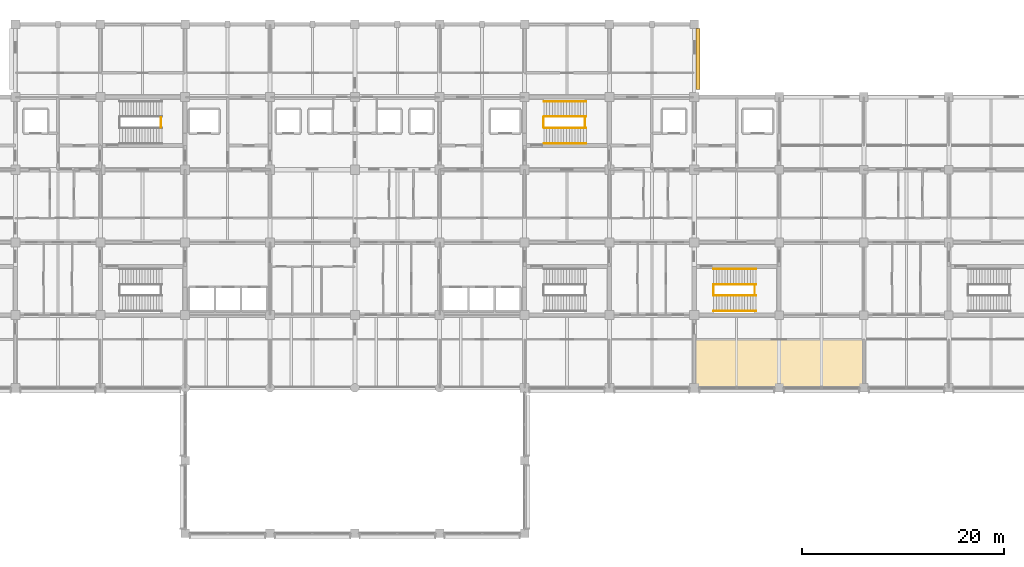
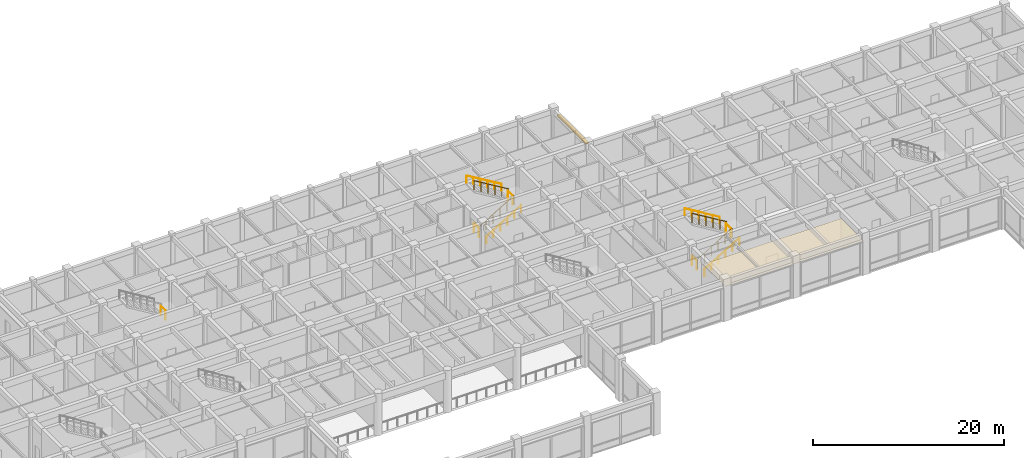
# One storey, part 49 of 51: 13 railings, 1 covering, 1 shading device.
"""IFC4 building model written with IfcOpenShell, lengths in metres."""

from ifc_helpers import new_model, si_unit, direction, frame, origin, origin_2d, place, context, subcontext, project, spatial, polyline, rectangle, circle, outline, extrude, material, layer, layer_set, type_object, element, save


model = new_model("IFC4")

# Units and contexts
model_context = context("Model", 3, precision=1e-05, world=origin(), true_north=direction((0.0, 1.0)))
body_context = subcontext(model_context, "Body", "Model", "MODEL_VIEW")
ifc_project = project(units=[si_unit("LENGTHUNIT", "METRE"), si_unit("AREAUNIT", "SQUARE_METRE"), si_unit("VOLUMEUNIT", "CUBIC_METRE"), si_unit("PLANEANGLEUNIT", "RADIAN"), si_unit("MASSUNIT", "GRAM", prefix="KILO")], contexts=[model_context])

# Site, building, storey
site_placement = place(None, origin())
site = spatial("IfcSite", under=ifc_project, at=site_placement, CompositionType="ELEMENT")
building_placement = place(site_placement, origin())
building = spatial("IfcBuilding", under=site, at=building_placement, Name="Chengyuan Square Courthouse", CompositionType="ELEMENT")
storey_placement = place(building_placement, frame((0.0, 0.0, 10.800048828125)))
storey = spatial("IfcBuildingStorey", under=building, at=storey_placement, Name="L03", CompositionType="ELEMENT", Elevation=10.800048828125)

# Covering
ifc_material_1 = material(Name="Perforated Larch Glulam Acoustic Slat Ceiling", Category="wood")
ifc_layer = layer(ifc_material_1, 0.044921875)
ifc_layer_set = layer_set([ifc_layer], Name="Perforated Larch Glulam Acoustic Slat Ceiling")
covering_type = type_object("IfcCoveringType", Name="CLG-01", PredefinedType="CEILING", material=ifc_layer_set)
covering_placement = place(storey_placement, frame((0.0, 0.0, 4.02001953125)))
element("IfcCovering", 1, at=covering_placement, inside=storey, type_object=covering_type, Name="Acoustic Timber Slat Ceiling CLG-L03-CRT-304", PredefinedType="CEILING", context=body_context, shape_type="SweptSolid", body=[
    extrude(outline(polyline([(117.64990234375, 79.25), (134.35009765625, 79.25), (134.35009765625, 83.949951171875), (117.64990234375, 83.949951171875), (117.64990234375, 79.25)])), origin(), (0.0, 0.0, 1.0), 0.044921875),
])

# Railings
ifc_material_2 = material(Name="Tempered Glass and Timber Top-Rail Balustrade", Category="wood")
railing_type_1 = type_object("IfcRailingType", Name="RL-02", PredefinedType="BALUSTRADE", material=ifc_material_2)
for number, where, name in (
    (2, (64.7900390625, 105.0, 2.699951171875), "Stair Landing Guard ST-1-L03"),
    (3, (102.68994140625, 105.0, 0.0), "Stair Floor Slot Guard ST-2 L03"),
    (4, (106.7900390625, 105.0, 2.699951171875), "Stair Landing Guard ST-2-L03"),
):
    element("IfcRailing", number, at=place(storey_placement, frame(where)), inside=storey, type_object=railing_type_1, Name=name, PredefinedType="BALUSTRADE", context=body_context, shape_type="SweptSolid", body=[
        extrude(circle(Radius=0.02392578125, at=origin_2d()), frame((0.0, 0.0, 1.17578125), z_axis=(0.0, 1.0, 0.0), x_axis=(-1.0, 0.0, 0.0)), (0.0, 0.0, 1.0), 1.0),
        extrude(circle(Radius=0.02099609375, at=origin_2d()), origin(), (0.0, 0.0, 1.0), 1.15185546875),
        extrude(circle(Radius=0.02099609375, at=origin_2d()), frame((0.0, 1.0, 0.0)), (0.0, 0.0, 1.0), 1.15185546875),
    ])
railing_1_placement = place(storey_placement, frame((102.7099609375, 104.949951171875, 0.168701171875)))
element("IfcRailing", 5, at=railing_1_placement, inside=storey, type_object=railing_type_1, Name="Stair Flight 1 Guard ST-2-L03", PredefinedType="BALUSTRADE", context=body_context, shape_type="SweptSolid", body=[
    extrude(circle(Radius=0.02392578125, at=origin_2d()), frame((0.0, 0.0, 1.17578125), z_axis=(0.856476492594, 0.0, 0.516186030065), x_axis=(0.0, 1.0, 0.0)), (0.0, 0.0, 1.0), 4.90380859375),
    extrude(circle(Radius=0.02099609375, at=origin_2d()), origin(), (0.0, 0.0, 1.0), 1.15185546875),
    extrude(circle(Radius=0.02099609375, at=origin_2d()), frame((0.840087890625, 0.0, 0.50634765625)), (0.0, 0.0, 1.0), 1.15185546875),
    extrude(circle(Radius=0.02099609375, at=origin_2d()), frame((1.679931640625, 0.0, 1.012451171875)), (0.0, 0.0, 1.0), 1.15185546875),
    extrude(circle(Radius=0.02099609375, at=origin_2d()), frame((2.52001953125, 0.0, 1.518798828125)), (0.0, 0.0, 1.0), 1.15185546875),
    extrude(circle(Radius=0.02099609375, at=origin_2d()), frame((3.35986328125, 0.0, 2.02490234375)), (0.0, 0.0, 1.0), 1.15185546875),
    extrude(circle(Radius=0.02099609375, at=origin_2d()), frame((4.199951171875, 0.0, 2.53125)), (0.0, 0.0, 1.0), 1.15185546875),
])
railing_2_placement = place(storey_placement, frame((106.909912109375, 106.050048828125, 2.86865234375)))
element("IfcRailing", 6, at=railing_2_placement, inside=storey, type_object=railing_type_1, Name="Stair Flight 2 Guard ST-2-L03", PredefinedType="BALUSTRADE", context=body_context, shape_type="SweptSolid", body=[
    extrude(circle(Radius=0.02392578125, at=origin_2d()), frame((0.0, 0.0, 1.17578125), z_axis=(-0.856476492594, 0.0, 0.516186030065), x_axis=(0.0, -1.0, 0.0)), (0.0, 0.0, 1.0), 4.90380859375),
    extrude(circle(Radius=0.02099609375, at=origin_2d()), origin(), (0.0, 0.0, 1.0), 1.15185546875),
    extrude(circle(Radius=0.02099609375, at=origin_2d()), frame((-0.840087890625, 0.0, 0.50634765625)), (0.0, 0.0, 1.0), 1.15185546875),
    extrude(circle(Radius=0.02099609375, at=origin_2d()), frame((-1.679931640625, 0.0, 1.012451171875)), (0.0, 0.0, 1.0), 1.15185546875),
    extrude(circle(Radius=0.02099609375, at=origin_2d()), frame((-2.52001953125, 0.0, 1.518798828125)), (0.0, 0.0, 1.0), 1.15185546875),
    extrude(circle(Radius=0.02099609375, at=origin_2d()), frame((-3.35986328125, 0.0, 2.02490234375)), (0.0, 0.0, 1.0), 1.15185546875),
    extrude(circle(Radius=0.02099609375, at=origin_2d()), frame((-4.199951171875, 0.0, 2.53125)), (0.0, 0.0, 1.0), 1.15185546875),
])
for number, where, name in (
    (7, (119.489990234375, 88.39990234375, 0.0), "Stair Floor Slot Guard ST-6 L03"),
    (8, (123.590087890625, 88.39990234375, 2.699951171875), "Stair Landing Guard ST-6-L03"),
):
    element("IfcRailing", number, at=place(storey_placement, frame(where)), inside=storey, type_object=railing_type_1, Name=name, PredefinedType="BALUSTRADE", context=body_context, shape_type="SweptSolid", body=[
        extrude(circle(Radius=0.02392578125, at=origin_2d()), frame((0.0, 0.0, 1.17578125), z_axis=(0.0, 1.0, 0.0), x_axis=(-1.0, 0.0, 0.0)), (0.0, 0.0, 1.0), 1.0),
        extrude(circle(Radius=0.02099609375, at=origin_2d()), origin(), (0.0, 0.0, 1.0), 1.15185546875),
        extrude(circle(Radius=0.02099609375, at=origin_2d()), frame((0.0, 1.0, 0.0)), (0.0, 0.0, 1.0), 1.15185546875),
    ])
railing_3_placement = place(storey_placement, frame((119.510009765625, 88.35009765625, 0.168701171875)))
element("IfcRailing", 9, at=railing_3_placement, inside=storey, type_object=railing_type_1, Name="Stair Flight 1 Guard ST-6-L03", PredefinedType="BALUSTRADE", context=body_context, shape_type="SweptSolid", body=[
    extrude(circle(Radius=0.02392578125, at=origin_2d()), frame((0.0, 0.0, 1.17578125), z_axis=(0.856476492594, 0.0, 0.516186030065), x_axis=(0.0, 1.0, 0.0)), (0.0, 0.0, 1.0), 4.90380859375),
    extrude(circle(Radius=0.02099609375, at=origin_2d()), origin(), (0.0, 0.0, 1.0), 1.15185546875),
    extrude(circle(Radius=0.02099609375, at=origin_2d()), frame((0.840087890625, 0.0, 0.50634765625)), (0.0, 0.0, 1.0), 1.15185546875),
    extrude(circle(Radius=0.02099609375, at=origin_2d()), frame((1.679931640625, 0.0, 1.012451171875)), (0.0, 0.0, 1.0), 1.15185546875),
    extrude(circle(Radius=0.02099609375, at=origin_2d()), frame((2.52001953125, 0.0, 1.518798828125)), (0.0, 0.0, 1.0), 1.15185546875),
    extrude(circle(Radius=0.02099609375, at=origin_2d()), frame((3.35986328125, 0.0, 2.02490234375)), (0.0, 0.0, 1.0), 1.15185546875),
    extrude(circle(Radius=0.02099609375, at=origin_2d()), frame((4.199951171875, 0.0, 2.53125)), (0.0, 0.0, 1.0), 1.15185546875),
])
railing_4_placement = place(storey_placement, frame((123.7099609375, 89.449951171875, 2.86865234375)))
element("IfcRailing", 10, at=railing_4_placement, inside=storey, type_object=railing_type_1, Name="Stair Flight 2 Guard ST-6-L03", PredefinedType="BALUSTRADE", context=body_context, shape_type="SweptSolid", body=[
    extrude(circle(Radius=0.02392578125, at=origin_2d()), frame((0.0, 0.0, 1.17578125), z_axis=(-0.856476492594, 0.0, 0.516186030065), x_axis=(0.0, -1.0, 0.0)), (0.0, 0.0, 1.0), 4.90380859375),
    extrude(circle(Radius=0.02099609375, at=origin_2d()), origin(), (0.0, 0.0, 1.0), 1.15185546875),
    extrude(circle(Radius=0.02099609375, at=origin_2d()), frame((-0.840087890625, 0.0, 0.50634765625)), (0.0, 0.0, 1.0), 1.15185546875),
    extrude(circle(Radius=0.02099609375, at=origin_2d()), frame((-1.679931640625, 0.0, 1.012451171875)), (0.0, 0.0, 1.0), 1.15185546875),
    extrude(circle(Radius=0.02099609375, at=origin_2d()), frame((-2.52001953125, 0.0, 1.518798828125)), (0.0, 0.0, 1.0), 1.15185546875),
    extrude(circle(Radius=0.02099609375, at=origin_2d()), frame((-3.35986328125, 0.0, 2.02490234375)), (0.0, 0.0, 1.0), 1.15185546875),
    extrude(circle(Radius=0.02099609375, at=origin_2d()), frame((-4.199951171875, 0.0, 2.53125)), (0.0, 0.0, 1.0), 1.15185546875),
])
ifc_material_3 = material(Name="Stainless Steel S30408 Stair Handrail", Category="steel")
railing_type_2 = type_object("IfcRailingType", Name="RL-04", PredefinedType="HANDRAIL", material=ifc_material_3)
railing_5_placement = place(storey_placement, frame((102.7099609375, 103.419921875, 0.168701171875)))
element("IfcRailing", 11, at=railing_5_placement, inside=storey, type_object=railing_type_2, Name="Stair Flight 1 Handrail ST-2-L03", PredefinedType="HANDRAIL", context=body_context, shape_type="SweptSolid", body=[
    extrude(circle(Radius=0.02392578125, at=origin_2d()), frame((0.0, 0.0, 0.8759765625), z_axis=(0.856476492594, 0.0, 0.516186030065), x_axis=(0.0, 1.0, 0.0)), (0.0, 0.0, 1.0), 4.90380859375),
    extrude(circle(Radius=0.02099609375, at=origin_2d()), origin(), (0.0, 0.0, 1.0), 0.851806640625),
    extrude(circle(Radius=0.02099609375, at=origin_2d()), frame((0.840087890625, 0.0, 0.50634765625)), (0.0, 0.0, 1.0), 0.851806640625),
    extrude(circle(Radius=0.02099609375, at=origin_2d()), frame((1.679931640625, 0.0, 1.012451171875)), (0.0, 0.0, 1.0), 0.851806640625),
    extrude(circle(Radius=0.02099609375, at=origin_2d()), frame((2.52001953125, 0.0, 1.518798828125)), (0.0, 0.0, 1.0), 0.851806640625),
    extrude(circle(Radius=0.02099609375, at=origin_2d()), frame((3.35986328125, 0.0, 2.02490234375)), (0.0, 0.0, 1.0), 0.851806640625),
    extrude(circle(Radius=0.02099609375, at=origin_2d()), frame((4.199951171875, 0.0, 2.53125)), (0.0, 0.0, 1.0), 0.851806640625),
])
railing_6_placement = place(storey_placement, frame((106.909912109375, 107.580078125, 2.86865234375)))
element("IfcRailing", 12, at=railing_6_placement, inside=storey, type_object=railing_type_2, Name="Stair Flight 2 Handrail ST-2-L03", PredefinedType="HANDRAIL", context=body_context, shape_type="SweptSolid", body=[
    extrude(circle(Radius=0.02392578125, at=origin_2d()), frame((0.0, 0.0, 0.8759765625), z_axis=(-0.856476492594, 0.0, 0.516186030065), x_axis=(0.0, -1.0, 0.0)), (0.0, 0.0, 1.0), 4.90380859375),
    extrude(circle(Radius=0.02099609375, at=origin_2d()), origin(), (0.0, 0.0, 1.0), 0.851806640625),
    extrude(circle(Radius=0.02099609375, at=origin_2d()), frame((-0.840087890625, 0.0, 0.50634765625)), (0.0, 0.0, 1.0), 0.851806640625),
    extrude(circle(Radius=0.02099609375, at=origin_2d()), frame((-1.679931640625, 0.0, 1.012451171875)), (0.0, 0.0, 1.0), 0.851806640625),
    extrude(circle(Radius=0.02099609375, at=origin_2d()), frame((-2.52001953125, 0.0, 1.518798828125)), (0.0, 0.0, 1.0), 0.851806640625),
    extrude(circle(Radius=0.02099609375, at=origin_2d()), frame((-3.35986328125, 0.0, 2.02490234375)), (0.0, 0.0, 1.0), 0.851806640625),
    extrude(circle(Radius=0.02099609375, at=origin_2d()), frame((-4.199951171875, 0.0, 2.53125)), (0.0, 0.0, 1.0), 0.851806640625),
])
railing_7_placement = place(storey_placement, frame((119.510009765625, 86.820068359375, 0.168701171875)))
element("IfcRailing", 13, at=railing_7_placement, inside=storey, type_object=railing_type_2, Name="Stair Flight 1 Handrail ST-6-L03", PredefinedType="HANDRAIL", context=body_context, shape_type="SweptSolid", body=[
    extrude(circle(Radius=0.02392578125, at=origin_2d()), frame((0.0, 0.0, 0.8759765625), z_axis=(0.856476492594, 0.0, 0.516186030065), x_axis=(0.0, 1.0, 0.0)), (0.0, 0.0, 1.0), 4.90380859375),
    extrude(circle(Radius=0.02099609375, at=origin_2d()), origin(), (0.0, 0.0, 1.0), 0.851806640625),
    extrude(circle(Radius=0.02099609375, at=origin_2d()), frame((0.840087890625, 0.0, 0.50634765625)), (0.0, 0.0, 1.0), 0.851806640625),
    extrude(circle(Radius=0.02099609375, at=origin_2d()), frame((1.679931640625, 0.0, 1.012451171875)), (0.0, 0.0, 1.0), 0.851806640625),
    extrude(circle(Radius=0.02099609375, at=origin_2d()), frame((2.52001953125, 0.0, 1.518798828125)), (0.0, 0.0, 1.0), 0.851806640625),
    extrude(circle(Radius=0.02099609375, at=origin_2d()), frame((3.35986328125, 0.0, 2.02490234375)), (0.0, 0.0, 1.0), 0.851806640625),
    extrude(circle(Radius=0.02099609375, at=origin_2d()), frame((4.199951171875, 0.0, 2.53125)), (0.0, 0.0, 1.0), 0.851806640625),
])
railing_8_placement = place(storey_placement, frame((123.7099609375, 90.97998046875, 2.86865234375)))
element("IfcRailing", 14, at=railing_8_placement, inside=storey, type_object=railing_type_2, Name="Stair Flight 2 Handrail ST-6-L03", PredefinedType="HANDRAIL", context=body_context, shape_type="SweptSolid", body=[
    extrude(circle(Radius=0.02392578125, at=origin_2d()), frame((0.0, 0.0, 0.8759765625), z_axis=(-0.856476492594, 0.0, 0.516186030065), x_axis=(0.0, -1.0, 0.0)), (0.0, 0.0, 1.0), 4.90380859375),
    extrude(circle(Radius=0.02099609375, at=origin_2d()), origin(), (0.0, 0.0, 1.0), 0.851806640625),
    extrude(circle(Radius=0.02099609375, at=origin_2d()), frame((-0.840087890625, 0.0, 0.50634765625)), (0.0, 0.0, 1.0), 0.851806640625),
    extrude(circle(Radius=0.02099609375, at=origin_2d()), frame((-1.679931640625, 0.0, 1.012451171875)), (0.0, 0.0, 1.0), 0.851806640625),
    extrude(circle(Radius=0.02099609375, at=origin_2d()), frame((-2.52001953125, 0.0, 1.518798828125)), (0.0, 0.0, 1.0), 0.851806640625),
    extrude(circle(Radius=0.02099609375, at=origin_2d()), frame((-3.35986328125, 0.0, 2.02490234375)), (0.0, 0.0, 1.0), 0.851806640625),
    extrude(circle(Radius=0.02099609375, at=origin_2d()), frame((-4.199951171875, 0.0, 2.53125)), (0.0, 0.0, 1.0), 0.851806640625),
])

# Shading device
ifc_material_4 = material(Name="Glulam TCt28 Facade Sunshade", Category="wood")
shading_device_type = type_object("IfcShadingDeviceType", Name="SHD-03", PredefinedType="AWNING", material=ifc_material_4)
shading_device_placement = place(storey_placement, frame((117.98193359375, 111.762451171875, 4.27978515625), z_axis=(0.0, 0.0, 1.0), x_axis=(0.0, 1.0, 0.0)))
element("IfcShadingDevice", 15, at=shading_device_placement, inside=storey, type_object=shading_device_type, Name="Glulam Facade Sunshade SHD-L03-0366", PredefinedType="AWNING", context=body_context, shape_type="SweptSolid", body=[
    extrude(rectangle(XDim=6.034912109375, YDim=0.39990234375, at=origin_2d()), origin(), (0.0, 0.0, 1.0), 0.139892578125),
])

save(model, "model.ifc")
